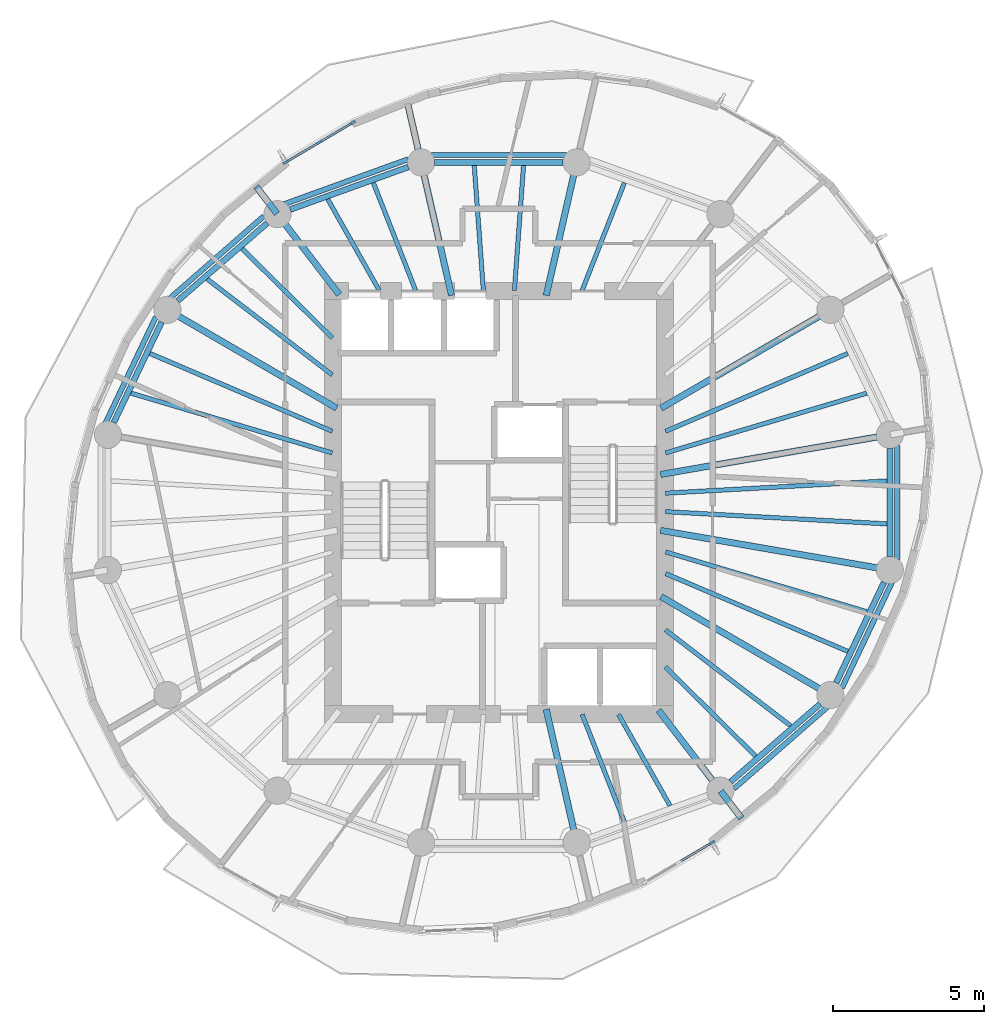
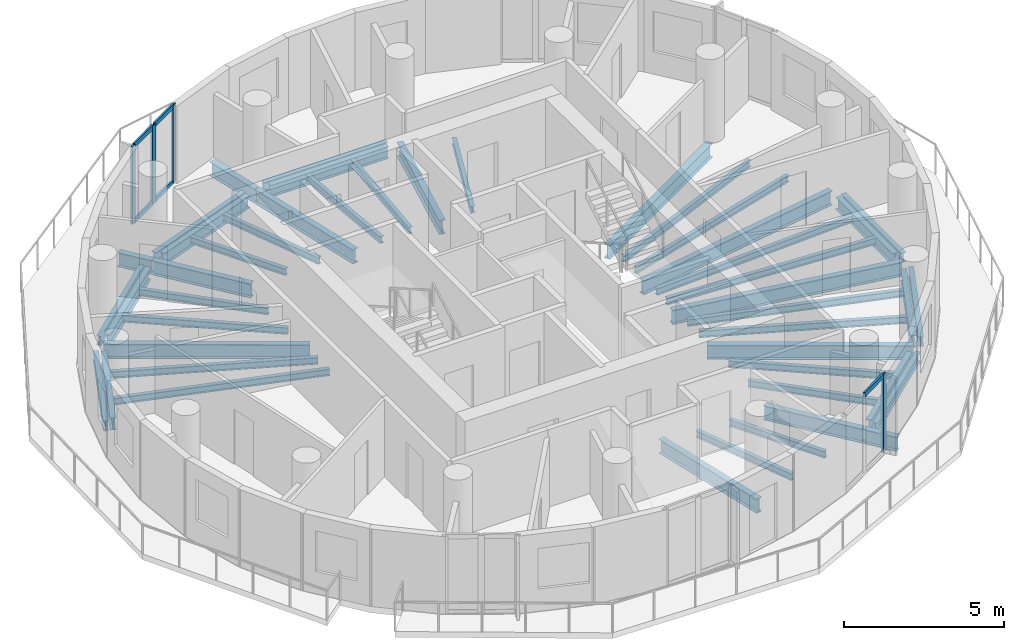
# One storey, part 2 of 10: 46 beams, 9 members, 2 elements without a shape of their own.
"""IFC4 building model written with IfcOpenShell, lengths in metres."""

from ifc_helpers import new_model, si_unit, direction, frame, origin, origin_2d, place, context, subcontext, project, spatial, rectangle, i_section, extrude, material, material_profile, profile_set, type_object, element, aggregate, save


model = new_model("IFC4")

# Units and contexts
model_context = context("Model", 3, precision=1e-05, world=origin(), true_north=direction((0.0, 1.0)))
body_context = subcontext(model_context, "Body", "Model", "MODEL_VIEW")
ifc_project = project(units=[si_unit("LENGTHUNIT", "METRE"), si_unit("AREAUNIT", "SQUARE_METRE"), si_unit("VOLUMEUNIT", "CUBIC_METRE"), si_unit("PLANEANGLEUNIT", "RADIAN"), si_unit("MASSUNIT", "GRAM", prefix="KILO")], contexts=[model_context])

# Site, building, storey
site_placement = place(None, origin())
site = spatial("IfcSite", under=ifc_project, at=site_placement, CompositionType="ELEMENT")
building_placement = place(site_placement, origin())
building = spatial("IfcBuilding", under=site, at=building_placement, Name="Veldorim Arch Residences", CompositionType="ELEMENT")
storey_placement = place(building_placement, frame((0.0, 0.0, 182.239990234375)))
storey = spatial("IfcBuildingStorey", under=building, at=storey_placement, Name="L54", CompositionType="ELEMENT", Elevation=182.239990234375)

# Beams
ifc_material_1 = material(Name="Steel S355", Category="steel")
ifc_material_profile_1 = material_profile(ifc_material_1, i_section(OverallWidth=0.2119140625, OverallDepth=0.54443359375, WebThickness=0.0126953125, FlangeThickness=0.021240234375, at=origin_2d()), Name="UB533x210x122")
ifc_profile_set_1 = profile_set([ifc_material_profile_1], Name="Steel S355")
beam_type_1 = type_object("IfcBeamType", Name="Structural Steel Beam UB533x210x122", PredefinedType="BEAM", material=ifc_profile_set_1)
beam_1_placement = place(storey_placement, frame((37.352294921875, 24.92578125, -0.51220703125), z_axis=(0.985364974081, 0.170457818401, 0.0), x_axis=(-0.170457818401, 0.985364974081, 0.0)))
element("IfcBeam", 1, at=beam_1_placement, inside=storey, type_object=beam_type_1, Name="L54 radial floor girder 01", PredefinedType="BEAM", context=body_context, shape_type="SweptSolid", body=[
    extrude(i_section(OverallWidth=0.2119140625, OverallDepth=0.54443359375, WebThickness=0.0126953125, FlangeThickness=0.021240234375, at=origin_2d()), origin(), (0.0, 0.0, 1.0), 7.68701171875),
])
beam_2_placement = place(storey_placement, frame((37.370361328125, 27.12060546875, -0.51220703125), z_axis=(0.864595736304, 0.502468121142, 0.0), x_axis=(-0.502468121142, 0.864595736304, 0.0)))
element("IfcBeam", 2, at=beam_2_placement, inside=storey, type_object=beam_type_1, Name="L54 radial floor girder 02", PredefinedType="BEAM", context=body_context, shape_type="SweptSolid", body=[
    extrude(i_section(OverallWidth=0.2119140625, OverallDepth=0.54443359375, WebThickness=0.0126953125, FlangeThickness=0.021240234375, at=origin_2d()), origin(), (0.0, 0.0, 1.0), 6.462646484375),
])
for number, where, z_axis, x_axis, name in (
    (3, (33.567626953125, 30.853759765625, -0.51220703125), (0.222952976993, 0.97482920045, 0.0), (-0.97482920045, 0.222952976993, 0.0), "L54 radial floor girder 04"),
    (4, (30.432373046875, 30.853759765625, -0.51220703125), (-0.222952976993, 0.97482920045, 0.0), (-0.97482920045, -0.222952976993, 0.0), "L54 radial floor girder 05"),
):
    element("IfcBeam", number, at=place(storey_placement, frame(where, z_axis=z_axis, x_axis=x_axis)), inside=storey, type_object=beam_type_1, Name=name, PredefinedType="BEAM", context=body_context, shape_type="SweptSolid", body=[
        extrude(i_section(OverallWidth=0.2119140625, OverallDepth=0.54443359375, WebThickness=0.0126953125, FlangeThickness=0.021240234375, at=origin_2d()), origin(), (0.0, 0.0, 1.0), 4.49951171875),
    ])
beam_3_placement = place(storey_placement, frame((29.42041015625, 35.27880859375, -0.51220703125), z_axis=(-0.222995587315, 0.974819454073, 0.0), x_axis=(-0.974819454073, -0.222995587315, 0.0)))
element("IfcBeam", 5, at=beam_3_placement, inside=storey, type_object=beam_type_1, Name="L54 radial edge cantilever girder 05", PredefinedType="BEAM", context=body_context, shape_type="SweptSolid", body=[
    extrude(i_section(OverallWidth=0.2119140625, OverallDepth=0.54443359375, WebThickness=0.0126953125, FlangeThickness=0.021240234375, at=origin_2d()), origin(), (0.0, 0.0, 1.0), 2.05712890625),
])
beam_4_placement = place(storey_placement, frame((26.71337890625, 30.881103515625, -0.51220703125), z_axis=(-0.609258442308, 0.792971721108, 0.0), x_axis=(-0.792971721108, -0.609258442308, 0.0)))
element("IfcBeam", 6, at=beam_4_placement, inside=storey, type_object=beam_type_1, Name="L54 radial floor girder 06", PredefinedType="BEAM", context=body_context, shape_type="SweptSolid", body=[
    extrude(i_section(OverallWidth=0.2119140625, OverallDepth=0.54443359375, WebThickness=0.0126953125, FlangeThickness=0.021240234375, at=origin_2d()), origin(), (0.0, 0.0, 1.0), 3.339599609375),
])
beam_5_placement = place(storey_placement, frame((24.654296875, 33.561279296875, -0.51220703125), z_axis=(-0.609251583835, 0.792976990583, 0.0), x_axis=(-0.792976990583, -0.609251583835, 0.0)))
element("IfcBeam", 7, at=beam_5_placement, inside=storey, type_object=beam_type_1, Name="L54 radial edge cantilever girder 06", PredefinedType="BEAM", context=body_context, shape_type="SweptSolid", body=[
    extrude(i_section(OverallWidth=0.2119140625, OverallDepth=0.54443359375, WebThickness=0.0126953125, FlangeThickness=0.021240234375, at=origin_2d()), origin(), (0.0, 0.0, 1.0), 1.130859375),
])
beam_6_placement = place(storey_placement, frame((26.629638671875, 27.12060546875, -0.51220703125), z_axis=(-0.864595736304, 0.502468121142, 0.0), x_axis=(-0.502468121142, -0.864595736304, 0.0)))
element("IfcBeam", 8, at=beam_6_placement, inside=storey, type_object=beam_type_1, Name="L54 radial floor girder 07", PredefinedType="BEAM", context=body_context, shape_type="SweptSolid", body=[
    extrude(i_section(OverallWidth=0.2119140625, OverallDepth=0.54443359375, WebThickness=0.0126953125, FlangeThickness=0.021240234375, at=origin_2d()), origin(), (0.0, 0.0, 1.0), 6.462646484375),
])
beam_7_placement = place(storey_placement, frame((33.567626953125, 17.146240234375, -0.51220703125), z_axis=(0.222952976993, -0.97482920045, 0.0), x_axis=(0.97482920045, 0.222952976993, 0.0)))
element("IfcBeam", 9, at=beam_7_placement, inside=storey, type_object=beam_type_1, Name="L54 radial floor girder 13", PredefinedType="BEAM", context=body_context, shape_type="SweptSolid", body=[
    extrude(i_section(OverallWidth=0.2119140625, OverallDepth=0.54443359375, WebThickness=0.0126953125, FlangeThickness=0.021240234375, at=origin_2d()), origin(), (0.0, 0.0, 1.0), 4.49951171875),
])
beam_8_placement = place(storey_placement, frame((37.28662109375, 17.118896484375, -0.51220703125), z_axis=(0.609258442308, -0.792971721108, 0.0), x_axis=(0.792971721108, 0.609258442308, 0.0)))
element("IfcBeam", 10, at=beam_8_placement, inside=storey, type_object=beam_type_1, Name="L54 radial floor girder 14", PredefinedType="BEAM", context=body_context, shape_type="SweptSolid", body=[
    extrude(i_section(OverallWidth=0.2119140625, OverallDepth=0.54443359375, WebThickness=0.0126953125, FlangeThickness=0.021240234375, at=origin_2d()), origin(), (0.0, 0.0, 1.0), 3.339599609375),
])
beam_9_placement = place(storey_placement, frame((39.345703125, 14.438720703125, -0.51220703125), z_axis=(0.609251583835, -0.792976990583, 0.0), x_axis=(0.792976990583, 0.609251583835, 0.0)))
element("IfcBeam", 11, at=beam_9_placement, inside=storey, type_object=beam_type_1, Name="L54 radial edge cantilever girder 14", PredefinedType="BEAM", context=body_context, shape_type="SweptSolid", body=[
    extrude(i_section(OverallWidth=0.2119140625, OverallDepth=0.54443359375, WebThickness=0.0126953125, FlangeThickness=0.021240234375, at=origin_2d()), origin(), (0.0, 0.0, 1.0), 1.130859375),
])
beam_10_placement = place(storey_placement, frame((37.370361328125, 20.87939453125, -0.51220703125), z_axis=(0.864595736304, -0.502468121142, 0.0), x_axis=(0.502468121142, 0.864595736304, 0.0)))
element("IfcBeam", 12, at=beam_10_placement, inside=storey, type_object=beam_type_1, Name="L54 radial floor girder 15", PredefinedType="BEAM", context=body_context, shape_type="SweptSolid", body=[
    extrude(i_section(OverallWidth=0.2119140625, OverallDepth=0.54443359375, WebThickness=0.0126953125, FlangeThickness=0.021240234375, at=origin_2d()), origin(), (0.0, 0.0, 1.0), 6.462646484375),
])
beam_11_placement = place(storey_placement, frame((37.352294921875, 23.07421875, -0.51220703125), z_axis=(0.985364974081, -0.170457818401, 0.0), x_axis=(0.170457818401, 0.985364974081, 0.0)))
element("IfcBeam", 13, at=beam_11_placement, inside=storey, type_object=beam_type_1, Name="L54 radial floor girder 16", PredefinedType="BEAM", context=body_context, shape_type="SweptSolid", body=[
    extrude(i_section(OverallWidth=0.2119140625, OverallDepth=0.54443359375, WebThickness=0.0126953125, FlangeThickness=0.021240234375, at=origin_2d()), origin(), (0.0, 0.0, 1.0), 7.68701171875),
])
ifc_material_2 = material(Name="Steel S355", Category="steel")
ifc_material_profile_2 = material_profile(ifc_material_2, i_section(OverallWidth=0.146484375, OverallDepth=0.256103515625, WebThickness=0.00634765625, FlangeThickness=0.010986328125, at=origin_2d()), Name="UB254x146x37")
ifc_profile_set_2 = profile_set([ifc_material_profile_2], Name="Steel S355")
beam_type_2 = type_object("IfcBeamType", Name="Structural Steel Joist UB254x146x37", PredefinedType="JOIST", material=ifc_profile_set_2)
beam_12_placement = place(storey_placement, frame((37.519287109375, 25.639404296875, -0.367919921875), z_axis=(0.958594432792, 0.284774846889, 0.0), x_axis=(-0.284774846889, 0.958594432792, 0.0)))
element("IfcBeam", 14, at=beam_12_placement, inside=storey, type_object=beam_type_2, Name="L54 secondary radial floor joist 01-1", PredefinedType="JOIST", context=body_context, shape_type="SweptSolid", body=[
    extrude(i_section(OverallWidth=0.146484375, OverallDepth=0.256103515625, WebThickness=0.00634765625, FlangeThickness=0.010986328125, at=origin_2d()), origin(), (0.0, 0.0, 1.0), 6.949462890625),
])
beam_13_placement = place(storey_placement, frame((37.518310546875, 26.355712890625, -0.367919921875), z_axis=(0.919725161652, 0.392562895629, 0.0), x_axis=(-0.392562895629, 0.919725161652, 0.0)))
element("IfcBeam", 15, at=beam_13_placement, inside=storey, type_object=beam_type_2, Name="L54 secondary radial floor joist 01-2", PredefinedType="JOIST", context=body_context, shape_type="SweptSolid", body=[
    extrude(i_section(OverallWidth=0.146484375, OverallDepth=0.256103515625, WebThickness=0.00634765625, FlangeThickness=0.010986328125, at=origin_2d()), origin(), (0.0, 0.0, 1.0), 6.5625),
])
beam_14_placement = place(storey_placement, frame((34.75634765625, 31.0185546875, -0.367919921875), z_axis=(0.365581383042, 0.930779379001, 0.0), x_axis=(-0.930779379001, 0.365581383042, 0.0)))
element("IfcBeam", 16, at=beam_14_placement, inside=storey, type_object=beam_type_2, Name="L54 secondary radial floor joist 03-2", PredefinedType="JOIST", context=body_context, shape_type="SweptSolid", body=[
    extrude(i_section(OverallWidth=0.146484375, OverallDepth=0.256103515625, WebThickness=0.00634765625, FlangeThickness=0.010986328125, at=origin_2d()), origin(), (0.0, 0.0, 1.0), 3.83056640625),
])
for number, where, z_axis, x_axis, name in (
    (17, (32.513916015625, 31.02001953125, -0.367919921875), (0.072985625899, 0.997332992742, 0.0), (-0.997332992742, 0.072985625899, 0.0), "L54 secondary radial floor joist 04-1"),
    (18, (31.486083984375, 31.02001953125, -0.367919921875), (-0.072985625899, 0.997332992742, 0.0), (-0.997332992742, -0.072985625899, 0.0), "L54 secondary radial floor joist 04-2"),
):
    element("IfcBeam", number, at=place(storey_placement, frame(where, z_axis=z_axis, x_axis=x_axis)), inside=storey, type_object=beam_type_2, Name=name, PredefinedType="JOIST", context=body_context, shape_type="SweptSolid", body=[
        extrude(i_section(OverallWidth=0.146484375, OverallDepth=0.256103515625, WebThickness=0.00634765625, FlangeThickness=0.010986328125, at=origin_2d()), origin(), (0.0, 0.0, 1.0), 4.151123046875),
    ])
beam_15_placement = place(storey_placement, frame((29.24365234375, 31.0185546875, -0.367919921875), z_axis=(-0.365581383042, 0.930779379001, 0.0), x_axis=(-0.930779379001, -0.365581383042, 0.0)))
element("IfcBeam", 19, at=beam_15_placement, inside=storey, type_object=beam_type_2, Name="L54 secondary radial floor joist 05-1", PredefinedType="JOIST", context=body_context, shape_type="SweptSolid", body=[
    extrude(i_section(OverallWidth=0.146484375, OverallDepth=0.256103515625, WebThickness=0.00634765625, FlangeThickness=0.010986328125, at=origin_2d()), origin(), (0.0, 0.0, 1.0), 3.83056640625),
])
beam_16_placement = place(storey_placement, frame((28.039794921875, 31.017333984375, -0.367919921875), z_axis=(-0.491452469585, 0.870904397818, 0.0), x_axis=(-0.870904397818, -0.491452469585, 0.0)))
element("IfcBeam", 20, at=beam_16_placement, inside=storey, type_object=beam_type_2, Name="L54 secondary radial floor joist 05-2", PredefinedType="JOIST", context=body_context, shape_type="SweptSolid", body=[
    extrude(i_section(OverallWidth=0.146484375, OverallDepth=0.256103515625, WebThickness=0.00634765625, FlangeThickness=0.010986328125, at=origin_2d()), origin(), (0.0, 0.0, 1.0), 3.472412109375),
])
beam_17_placement = place(storey_placement, frame((26.48583984375, 29.44775390625, -0.367919921875), z_axis=(-0.711396725432, 0.702790650937, 0.0), x_axis=(-0.702790650937, -0.711396725432, 0.0)))
element("IfcBeam", 21, at=beam_17_placement, inside=storey, type_object=beam_type_2, Name="L54 secondary radial floor joist 06-1", PredefinedType="JOIST", context=body_context, shape_type="SweptSolid", body=[
    extrude(i_section(OverallWidth=0.146484375, OverallDepth=0.256103515625, WebThickness=0.00634765625, FlangeThickness=0.010986328125, at=origin_2d()), origin(), (0.0, 0.0, 1.0), 4.198486328125),
])
beam_18_placement = place(storey_placement, frame((26.484130859375, 28.222900390625, -0.367919921875), z_axis=(-0.794013672216, 0.607899899929, 0.0), x_axis=(-0.607899899929, -0.794013672216, 0.0)))
element("IfcBeam", 22, at=beam_18_placement, inside=storey, type_object=beam_type_2, Name="L54 secondary radial floor joist 06-2", PredefinedType="JOIST", context=body_context, shape_type="SweptSolid", body=[
    extrude(i_section(OverallWidth=0.146484375, OverallDepth=0.256103515625, WebThickness=0.00634765625, FlangeThickness=0.010986328125, at=origin_2d()), origin(), (0.0, 0.0, 1.0), 5.217041015625),
])
beam_19_placement = place(storey_placement, frame((26.481689453125, 26.355712890625, -0.367919921875), z_axis=(-0.919725161652, 0.392562895629, 0.0), x_axis=(-0.392562895629, -0.919725161652, 0.0)))
element("IfcBeam", 23, at=beam_19_placement, inside=storey, type_object=beam_type_2, Name="L54 secondary radial floor joist 07-1", PredefinedType="JOIST", context=body_context, shape_type="SweptSolid", body=[
    extrude(i_section(OverallWidth=0.146484375, OverallDepth=0.256103515625, WebThickness=0.00634765625, FlangeThickness=0.010986328125, at=origin_2d()), origin(), (0.0, 0.0, 1.0), 6.5625),
])
beam_20_placement = place(storey_placement, frame((26.480712890625, 25.639404296875, -0.367919921875), z_axis=(-0.958594432792, 0.284774846889, 0.0), x_axis=(-0.284774846889, -0.958594432792, 0.0)))
element("IfcBeam", 24, at=beam_20_placement, inside=storey, type_object=beam_type_2, Name="L54 secondary radial floor joist 07-2", PredefinedType="JOIST", context=body_context, shape_type="SweptSolid", body=[
    extrude(i_section(OverallWidth=0.146484375, OverallDepth=0.256103515625, WebThickness=0.00634765625, FlangeThickness=0.010986328125, at=origin_2d()), origin(), (0.0, 0.0, 1.0), 6.949462890625),
])
beam_21_placement = place(storey_placement, frame((34.75634765625, 16.9814453125, -0.367919921875), z_axis=(0.365581383042, -0.930779379001, 0.0), x_axis=(0.930779379001, 0.365581383042, 0.0)))
element("IfcBeam", 25, at=beam_21_placement, inside=storey, type_object=beam_type_2, Name="L54 secondary radial floor joist 13-1", PredefinedType="JOIST", context=body_context, shape_type="SweptSolid", body=[
    extrude(i_section(OverallWidth=0.146484375, OverallDepth=0.256103515625, WebThickness=0.00634765625, FlangeThickness=0.010986328125, at=origin_2d()), origin(), (0.0, 0.0, 1.0), 3.83056640625),
])
beam_22_placement = place(storey_placement, frame((35.960205078125, 16.982666015625, -0.367919921875), z_axis=(0.491452469585, -0.870904397818, 0.0), x_axis=(0.870904397818, 0.491452469585, 0.0)))
element("IfcBeam", 26, at=beam_22_placement, inside=storey, type_object=beam_type_2, Name="L54 secondary radial floor joist 13-2", PredefinedType="JOIST", context=body_context, shape_type="SweptSolid", body=[
    extrude(i_section(OverallWidth=0.146484375, OverallDepth=0.256103515625, WebThickness=0.00634765625, FlangeThickness=0.010986328125, at=origin_2d()), origin(), (0.0, 0.0, 1.0), 3.472412109375),
])
beam_23_placement = place(storey_placement, frame((37.51416015625, 18.55224609375, -0.367919921875), z_axis=(0.711396725432, -0.702790650937, 0.0), x_axis=(0.702790650937, 0.711396725432, 0.0)))
element("IfcBeam", 27, at=beam_23_placement, inside=storey, type_object=beam_type_2, Name="L54 secondary radial floor joist 14-1", PredefinedType="JOIST", context=body_context, shape_type="SweptSolid", body=[
    extrude(i_section(OverallWidth=0.146484375, OverallDepth=0.256103515625, WebThickness=0.00634765625, FlangeThickness=0.010986328125, at=origin_2d()), origin(), (0.0, 0.0, 1.0), 4.198486328125),
])
beam_24_placement = place(storey_placement, frame((37.515869140625, 19.777099609375, -0.367919921875), z_axis=(0.794013672216, -0.607899899929, 0.0), x_axis=(0.607899899929, 0.794013672216, 0.0)))
element("IfcBeam", 28, at=beam_24_placement, inside=storey, type_object=beam_type_2, Name="L54 secondary radial floor joist 14-2", PredefinedType="JOIST", context=body_context, shape_type="SweptSolid", body=[
    extrude(i_section(OverallWidth=0.146484375, OverallDepth=0.256103515625, WebThickness=0.00634765625, FlangeThickness=0.010986328125, at=origin_2d()), origin(), (0.0, 0.0, 1.0), 5.217041015625),
])
beam_25_placement = place(storey_placement, frame((37.518310546875, 21.644287109375, -0.367919921875), z_axis=(0.919725161652, -0.392562895629, 0.0), x_axis=(0.392562895629, 0.919725161652, 0.0)))
element("IfcBeam", 29, at=beam_25_placement, inside=storey, type_object=beam_type_2, Name="L54 secondary radial floor joist 15-1", PredefinedType="JOIST", context=body_context, shape_type="SweptSolid", body=[
    extrude(i_section(OverallWidth=0.146484375, OverallDepth=0.256103515625, WebThickness=0.00634765625, FlangeThickness=0.010986328125, at=origin_2d()), origin(), (0.0, 0.0, 1.0), 6.5625),
])
beam_26_placement = place(storey_placement, frame((37.519287109375, 22.360595703125, -0.367919921875), z_axis=(0.958594432792, -0.284774846889, 0.0), x_axis=(0.284774846889, 0.958594432792, 0.0)))
element("IfcBeam", 30, at=beam_26_placement, inside=storey, type_object=beam_type_2, Name="L54 secondary radial floor joist 15-2", PredefinedType="JOIST", context=body_context, shape_type="SweptSolid", body=[
    extrude(i_section(OverallWidth=0.146484375, OverallDepth=0.256103515625, WebThickness=0.00634765625, FlangeThickness=0.010986328125, at=origin_2d()), origin(), (0.0, 0.0, 1.0), 6.949462890625),
])
for number, where, z_axis, x_axis, name in (
    (31, (37.52001953125, 23.6943359375, -0.367919921875), (0.998472000884, -0.055259962464, 0.0), (0.055259962464, 0.998472000884, 0.0), "L54 secondary radial floor joist 16-1"),
    (32, (37.52001953125, 24.3056640625, -0.367919921875), (0.998472000884, 0.055259962464, 0.0), (-0.055259962464, 0.998472000884, 0.0), "L54 secondary radial floor joist 16-2"),
):
    element("IfcBeam", number, at=place(storey_placement, frame(where, z_axis=z_axis, x_axis=x_axis)), inside=storey, type_object=beam_type_2, Name=name, PredefinedType="JOIST", context=body_context, shape_type="SweptSolid", body=[
        extrude(i_section(OverallWidth=0.146484375, OverallDepth=0.256103515625, WebThickness=0.00634765625, FlangeThickness=0.010986328125, at=origin_2d()), origin(), (0.0, 0.0, 1.0), 7.33837890625),
    ])
ifc_material_3 = material(Name="Steel S355", Category="steel")
ifc_material_profile_3 = material_profile(ifc_material_3, i_section(OverallWidth=0.172119140625, OverallDepth=0.35791015625, WebThickness=0.008056640625, FlangeThickness=0.012939453125, at=origin_2d()), Name="UB356x171x57")
ifc_profile_set_3 = profile_set([ifc_material_profile_3], Name="Steel S355")
beam_type_3 = type_object("IfcBeamType", Name="Structural Steel Spandrel UB356x171x57", PredefinedType="SPANDREL", material=ifc_profile_set_3)
beam_27_placement = place(storey_placement, frame((34.234375, 35.500732421875, -0.43896484375), z_axis=(-1.0, 0.0, 0.0), x_axis=(0.0, -1.0, 0.0)))
element("IfcBeam", 33, at=beam_27_placement, inside=storey, type_object=beam_type_3, Name="L54 perimeter chord spandrel beam 04", PredefinedType="SPANDREL", context=body_context, shape_type="SweptSolid", body=[
    extrude(i_section(OverallWidth=0.172119140625, OverallDepth=0.35791015625, WebThickness=0.008056640625, FlangeThickness=0.012939453125, at=origin_2d()), origin(), (0.0, 0.0, 1.0), 4.46875),
])
beam_28_placement = place(storey_placement, frame((28.997314453125, 35.36572265625, -0.43896484375), z_axis=(-0.940164695555, -0.340720332871, 0.0), x_axis=(0.340720332871, -0.940164695555, 0.0)))
element("IfcBeam", 34, at=beam_28_placement, inside=storey, type_object=beam_type_3, Name="L54 perimeter chord spandrel beam 05", PredefinedType="SPANDREL", context=body_context, shape_type="SweptSolid", body=[
    extrude(i_section(OverallWidth=0.172119140625, OverallDepth=0.35791015625, WebThickness=0.008056640625, FlangeThickness=0.012939453125, at=origin_2d()), origin(), (0.0, 0.0, 1.0), 4.370849609375),
])
beam_29_placement = place(storey_placement, frame((24.217529296875, 33.48095703125, -0.43896484375), z_axis=(-0.752847646119, -0.6581948205, 0.0), x_axis=(0.6581948205, -0.752847646119, 0.0)))
element("IfcBeam", 35, at=beam_29_placement, inside=storey, type_object=beam_type_3, Name="L54 perimeter chord spandrel beam 06", PredefinedType="SPANDREL", context=body_context, shape_type="SweptSolid", body=[
    extrude(i_section(OverallWidth=0.172119140625, OverallDepth=0.35791015625, WebThickness=0.008056640625, FlangeThickness=0.012939453125, at=origin_2d()), origin(), (0.0, 0.0, 1.0), 4.12939453125),
])
beam_30_placement = place(storey_placement, frame((20.64111328125, 30.144287109375, -0.43896484375), z_axis=(-0.428408308939, -0.903585259304, 0.0), x_axis=(0.903585259304, -0.428408308939, 0.0)))
element("IfcBeam", 36, at=beam_30_placement, inside=storey, type_object=beam_type_3, Name="L54 perimeter chord spandrel beam 07", PredefinedType="SPANDREL", context=body_context, shape_type="SweptSolid", body=[
    extrude(i_section(OverallWidth=0.172119140625, OverallDepth=0.35791015625, WebThickness=0.008056640625, FlangeThickness=0.012939453125, at=origin_2d()), origin(), (0.0, 0.0, 1.0), 3.878662109375),
])
beam_31_placement = place(storey_placement, frame((39.782470703125, 14.51904296875, -0.43896484375), z_axis=(0.752847646119, 0.6581948205, 0.0), x_axis=(-0.6581948205, 0.752847646119, 0.0)))
element("IfcBeam", 37, at=beam_31_placement, inside=storey, type_object=beam_type_3, Name="L54 perimeter chord spandrel beam 14", PredefinedType="SPANDREL", context=body_context, shape_type="SweptSolid", body=[
    extrude(i_section(OverallWidth=0.172119140625, OverallDepth=0.35791015625, WebThickness=0.008056640625, FlangeThickness=0.012939453125, at=origin_2d()), origin(), (0.0, 0.0, 1.0), 4.12939453125),
])
beam_32_placement = place(storey_placement, frame((43.35888671875, 17.855712890625, -0.43896484375), z_axis=(0.428408308939, 0.903585259304, 0.0), x_axis=(-0.903585259304, 0.428408308939, 0.0)))
element("IfcBeam", 38, at=beam_32_placement, inside=storey, type_object=beam_type_3, Name="L54 perimeter chord spandrel beam 15", PredefinedType="SPANDREL", context=body_context, shape_type="SweptSolid", body=[
    extrude(i_section(OverallWidth=0.172119140625, OverallDepth=0.35791015625, WebThickness=0.008056640625, FlangeThickness=0.012939453125, at=origin_2d()), origin(), (0.0, 0.0, 1.0), 3.878662109375),
])
beam_33_placement = place(storey_placement, frame((45.190185546875, 22.1142578125, -0.43896484375), z_axis=(0.0, 1.0, 0.0), x_axis=(-1.0, 0.0, 0.0)))
element("IfcBeam", 39, at=beam_33_placement, inside=storey, type_object=beam_type_3, Name="L54 perimeter chord spandrel beam 16", PredefinedType="SPANDREL", context=body_context, shape_type="SweptSolid", body=[
    extrude(i_section(OverallWidth=0.172119140625, OverallDepth=0.35791015625, WebThickness=0.008056640625, FlangeThickness=0.012939453125, at=origin_2d()), origin(), (0.0, 0.0, 1.0), 3.771484375),
])
ifc_material_4 = material(Name="Steel S355", Category="steel")
ifc_material_profile_4 = material_profile(ifc_material_4, i_section(OverallWidth=0.19140625, OverallDepth=0.4599609375, WebThickness=0.010009765625, FlangeThickness=0.01611328125, at=origin_2d()), Name="UB457x191x82")
ifc_profile_set_4 = profile_set([ifc_material_profile_4], Name="Steel S355")
beam_type_4 = type_object("IfcBeamType", Name="Structural Steel Spandrel UB457x191x82", PredefinedType="SPANDREL", material=ifc_profile_set_4)
beam_34_placement = place(storey_placement, frame((34.125244140625, 35.259521484375, -0.469970703125), z_axis=(-1.0, 0.0, 0.0), x_axis=(0.0, -1.0, 0.0)))
element("IfcBeam", 40, at=beam_34_placement, inside=storey, type_object=beam_type_4, Name="L54 perimeter ring tie beam 04", PredefinedType="SPANDREL", context=body_context, shape_type="SweptSolid", body=[
    extrude(i_section(OverallWidth=0.19140625, OverallDepth=0.4599609375, WebThickness=0.010009765625, FlangeThickness=0.01611328125, at=origin_2d()), origin(), (0.0, 0.0, 1.0), 4.25048828125),
])
beam_35_placement = place(storey_placement, frame((29.00146484375, 35.10693359375, -0.469970703125), z_axis=(-0.940811035395, -0.338931550137, 0.0), x_axis=(0.338931550137, -0.940811035395, 0.0)))
element("IfcBeam", 41, at=beam_35_placement, inside=storey, type_object=beam_type_4, Name="L54 perimeter ring tie beam 05", PredefinedType="SPANDREL", context=body_context, shape_type="SweptSolid", body=[
    extrude(i_section(OverallWidth=0.19140625, OverallDepth=0.4599609375, WebThickness=0.010009765625, FlangeThickness=0.01611328125, at=origin_2d()), origin(), (0.0, 0.0, 1.0), 4.15771484375),
])
beam_36_placement = place(storey_placement, frame((24.326904296875, 33.25, -0.469970703125), z_axis=(-0.754545285701, -0.656247980436, 0.0), x_axis=(0.656247980436, -0.754545285701, 0.0)))
element("IfcBeam", 42, at=beam_36_placement, inside=storey, type_object=beam_type_4, Name="L54 perimeter ring tie beam 06", PredefinedType="SPANDREL", context=body_context, shape_type="SweptSolid", body=[
    extrude(i_section(OverallWidth=0.19140625, OverallDepth=0.4599609375, WebThickness=0.010009765625, FlangeThickness=0.01611328125, at=origin_2d()), origin(), (0.0, 0.0, 1.0), 3.9267578125),
])
beam_37_placement = place(storey_placement, frame((20.8310546875, 29.9716796875, -0.469970703125), z_axis=(-0.430005613988, -0.902826213586, 0.0), x_axis=(0.902826213586, -0.430005613988, 0.0)))
element("IfcBeam", 43, at=beam_37_placement, inside=storey, type_object=beam_type_4, Name="L54 perimeter ring tie beam 07", PredefinedType="SPANDREL", context=body_context, shape_type="SweptSolid", body=[
    extrude(i_section(OverallWidth=0.19140625, OverallDepth=0.4599609375, WebThickness=0.010009765625, FlangeThickness=0.01611328125, at=origin_2d()), origin(), (0.0, 0.0, 1.0), 3.68359375),
])
beam_38_placement = place(storey_placement, frame((39.673095703125, 14.75, -0.469970703125), z_axis=(0.754545285701, 0.656247980436, 0.0), x_axis=(-0.656247980436, 0.754545285701, 0.0)))
element("IfcBeam", 44, at=beam_38_placement, inside=storey, type_object=beam_type_4, Name="L54 perimeter ring tie beam 14", PredefinedType="SPANDREL", context=body_context, shape_type="SweptSolid", body=[
    extrude(i_section(OverallWidth=0.19140625, OverallDepth=0.4599609375, WebThickness=0.010009765625, FlangeThickness=0.01611328125, at=origin_2d()), origin(), (0.0, 0.0, 1.0), 3.9267578125),
])
beam_39_placement = place(storey_placement, frame((43.1689453125, 18.0283203125, -0.469970703125), z_axis=(0.430005613988, 0.902826213586, 0.0), x_axis=(-0.902826213586, 0.430005613988, 0.0)))
element("IfcBeam", 45, at=beam_39_placement, inside=storey, type_object=beam_type_4, Name="L54 perimeter ring tie beam 15", PredefinedType="SPANDREL", context=body_context, shape_type="SweptSolid", body=[
    extrude(i_section(OverallWidth=0.19140625, OverallDepth=0.4599609375, WebThickness=0.010009765625, FlangeThickness=0.01611328125, at=origin_2d()), origin(), (0.0, 0.0, 1.0), 3.68359375),
])
beam_40_placement = place(storey_placement, frame((44.9462890625, 22.21044921875, -0.469970703125), z_axis=(0.0, 1.0, 0.0), x_axis=(-1.0, 0.0, 0.0)))
element("IfcBeam", 46, at=beam_40_placement, inside=storey, type_object=beam_type_4, Name="L54 perimeter ring tie beam 16", PredefinedType="SPANDREL", context=body_context, shape_type="SweptSolid", body=[
    extrude(i_section(OverallWidth=0.19140625, OverallDepth=0.4599609375, WebThickness=0.010009765625, FlangeThickness=0.01611328125, at=origin_2d()), origin(), (0.0, 0.0, 1.0), 3.5791015625),
])

# Curtain wall, members
ifc_material_5 = material(Name="Aluminium", Category="aluminium")
curtain_wall_type = type_object("IfcCurtainWallType", Name="Zone 4 High-Altitude Unitised Curtain Wall", PredefinedType="NOTDEFINED", material=ifc_material_5)
curtain_wall_1_placement = place(storey_placement, origin())
curtain_wall_1 = element("IfcCurtainWall", 47, at=curtain_wall_1_placement, inside=storey, type_object=curtain_wall_type, Name="L54 unitised curtain wall bay 08", PredefinedType="NOTDEFINED")
ifc_material_6 = material(Name="Aluminium", Category="aluminium")
ifc_material_profile_5 = material_profile(ifc_material_6, rectangle(XDim=0.074951171875, YDim=0.195068359375, at=origin_2d()), Name="ALU_MUL_75x195")
ifc_profile_set_5 = profile_set([ifc_material_profile_5], Name="Aluminium")
member_type_1 = type_object("IfcMemberType", Name="Zone 4 High-Altitude Unitised Curtain Wall Mullion 75x195", PredefinedType="MULLION", material=ifc_profile_set_5)
member_1_placement = place(storey_placement, frame((24.942626953125, 35.265625, 0.0), z_axis=(0.0, 0.0, 1.0), x_axis=(-0.508514317139, 0.861053534494, 0.0)))
member_1 = element("IfcMember", 48, at=member_1_placement, type_object=member_type_1, Name="CW-Z4 mullion 1", PredefinedType="MULLION", context=body_context, shape_type="SweptSolid", body=[
    extrude(rectangle(XDim=0.074951171875, YDim=0.195068359375, at=origin_2d()), origin(), (0.0, 0.0, 1.0), 2.9599609375),
])
member_2_placement = place(storey_placement, frame((26.050537109375, 35.919921875, 0.0), z_axis=(0.0, 0.0, 1.0), x_axis=(-0.508514317139, 0.861053534494, 0.0)))
member_2 = element("IfcMember", 49, at=member_2_placement, type_object=member_type_1, Name="CW-Z4 mullion 2", PredefinedType="MULLION", context=body_context, shape_type="SweptSolid", body=[
    extrude(rectangle(XDim=0.074951171875, YDim=0.195068359375, at=origin_2d()), origin(), (0.0, 0.0, 1.0), 2.9599609375),
])
member_3_placement = place(storey_placement, frame((27.158447265625, 36.57421875, 0.0), z_axis=(0.0, 0.0, 1.0), x_axis=(-0.508514317139, 0.861053534494, 0.0)))
member_3 = element("IfcMember", 50, at=member_3_placement, type_object=member_type_1, Name="CW-Z4 mullion 3", PredefinedType="MULLION", context=body_context, shape_type="SweptSolid", body=[
    extrude(rectangle(XDim=0.074951171875, YDim=0.195068359375, at=origin_2d()), origin(), (0.0, 0.0, 1.0), 2.9599609375),
])

# Curtain wall, member
curtain_wall_2_placement = place(storey_placement, origin())
curtain_wall_2 = element("IfcCurtainWall", 51, at=curtain_wall_2_placement, inside=storey, type_object=curtain_wall_type, Name="L54 unitised curtain wall bay 26", PredefinedType="NOTDEFINED")
member_4_placement = place(storey_placement, frame((39.057373046875, 12.734375, 0.0), z_axis=(0.0, 0.0, 1.0), x_axis=(0.508514317139, -0.861053534494, 0.0)))
member_4 = element("IfcMember", 52, at=member_4_placement, type_object=member_type_1, Name="CW-Z4 mullion 1", PredefinedType="MULLION", context=body_context, shape_type="SweptSolid", body=[
    extrude(rectangle(XDim=0.074951171875, YDim=0.195068359375, at=origin_2d()), origin(), (0.0, 0.0, 1.0), 2.9599609375),
])

# Member
ifc_material_7 = material(Name="Aluminium", Category="aluminium")
ifc_material_profile_6 = material_profile(ifc_material_7, rectangle(XDim=0.074951171875, YDim=0.1650390625, at=origin_2d()), Name="ALU_TRN_75x165")
ifc_profile_set_6 = profile_set([ifc_material_profile_6], Name="Aluminium")
member_type_2 = type_object("IfcMemberType", Name="Zone 4 High-Altitude Unitised Curtain Wall Transom 75x165", PredefinedType="USERDEFINED", material=ifc_profile_set_6)
member_5_placement = place(storey_placement, frame((24.974853515625, 35.28466796875, 0.03759765625), z_axis=(0.861062864329, 0.50849851885, 0.0), x_axis=(-0.50849851885, 0.861062864329, 0.0)))
member_5 = element("IfcMember", 53, at=member_5_placement, type_object=member_type_2, Name="CW-Z4 transom 1.1", ObjectType="TRANSOM", PredefinedType="USERDEFINED", context=body_context, shape_type="SweptSolid", body=[
    extrude(rectangle(XDim=0.074951171875, YDim=0.1650390625, at=origin_2d()), origin(), (0.0, 0.0, 1.0), 1.2119140625),
])

member_6_placement = place(storey_placement, frame((24.974853515625, 35.28466796875, 2.922607421875), z_axis=(0.861062864329, 0.50849851885, 0.0), x_axis=(-0.50849851885, 0.861062864329, 0.0)))
member_6 = element("IfcMember", 54, at=member_6_placement, type_object=member_type_2, Name="CW-Z4 transom 1.2", ObjectType="TRANSOM", PredefinedType="USERDEFINED", context=body_context, shape_type="SweptSolid", body=[
    extrude(rectangle(XDim=0.074951171875, YDim=0.1650390625, at=origin_2d()), origin(), (0.0, 0.0, 1.0), 1.2119140625),
])

member_7_placement = place(storey_placement, frame((26.082763671875, 35.93896484375, 0.03759765625), z_axis=(0.861062864329, 0.50849851885, 0.0), x_axis=(-0.50849851885, 0.861062864329, 0.0)))
member_7 = element("IfcMember", 55, at=member_7_placement, type_object=member_type_2, Name="CW-Z4 transom 2.1", ObjectType="TRANSOM", PredefinedType="USERDEFINED", context=body_context, shape_type="SweptSolid", body=[
    extrude(rectangle(XDim=0.074951171875, YDim=0.1650390625, at=origin_2d()), origin(), (0.0, 0.0, 1.0), 1.2119140625),
])

member_8_placement = place(storey_placement, frame((26.082763671875, 35.93896484375, 2.922607421875), z_axis=(0.861062864329, 0.50849851885, 0.0), x_axis=(-0.50849851885, 0.861062864329, 0.0)))
member_8 = element("IfcMember", 56, at=member_8_placement, type_object=member_type_2, Name="CW-Z4 transom 2.2", ObjectType="TRANSOM", PredefinedType="USERDEFINED", context=body_context, shape_type="SweptSolid", body=[
    extrude(rectangle(XDim=0.074951171875, YDim=0.1650390625, at=origin_2d()), origin(), (0.0, 0.0, 1.0), 1.2119140625),
])

aggregate(curtain_wall_1, [member_1, member_2, member_3, member_5, member_6, member_7, member_8])

member_9_placement = place(storey_placement, frame((39.025146484375, 12.71533203125, 2.922607421875), z_axis=(-0.861062864329, -0.50849851885, 0.0), x_axis=(0.50849851885, -0.861062864329, 0.0)))
member_9 = element("IfcMember", 57, at=member_9_placement, type_object=member_type_2, Name="CW-Z4 transom 1.2", ObjectType="TRANSOM", PredefinedType="USERDEFINED", context=body_context, shape_type="SweptSolid", body=[
    extrude(rectangle(XDim=0.074951171875, YDim=0.1650390625, at=origin_2d()), origin(), (0.0, 0.0, 1.0), 1.2119140625),
])

aggregate(curtain_wall_2, [member_4, member_9])

save(model, "model.ifc")
